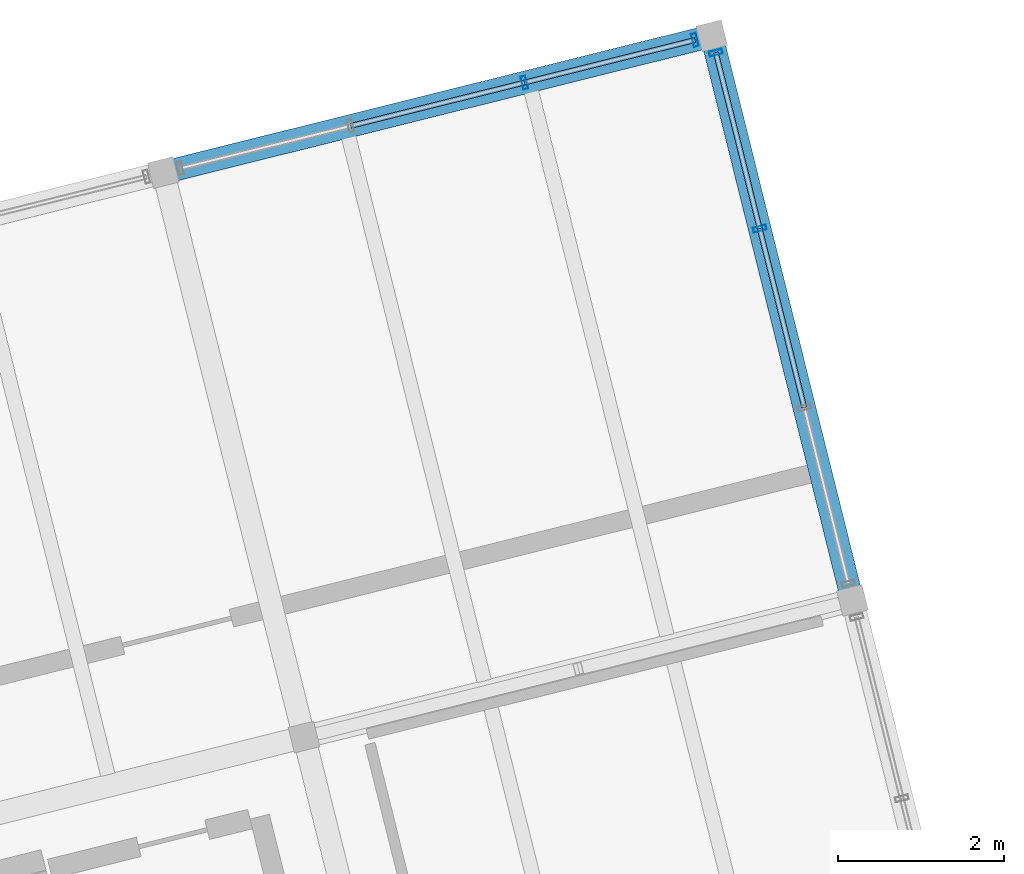
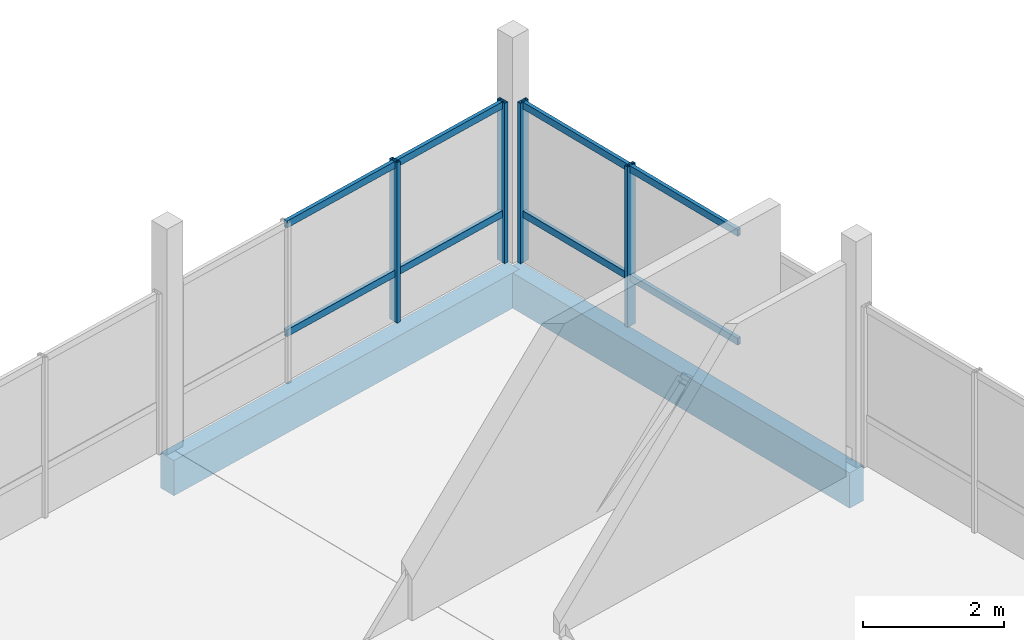
# One storey, part 20 of 25: 12 members, 2 beams, 2 elements without a shape of their own.
"""IFC4 building model written with IfcOpenShell, lengths in metres."""

from ifc_helpers import new_model, si_unit, direction, frame, origin, origin_2d, place, context, subcontext, project, spatial, rectangle, hollow_rectangle, extrude, material, layer, layer_set, material_profile, profile_set, type_object, element, aggregate, save


model = new_model("IFC4")

# Units and contexts
model_context = context("Model", 3, precision=1e-05, world=origin(), true_north=direction((0.0, 1.0)))
body_context = subcontext(model_context, "Body", "Model", "MODEL_VIEW")
ifc_project = project(units=[si_unit("LENGTHUNIT", "METRE"), si_unit("AREAUNIT", "SQUARE_METRE"), si_unit("VOLUMEUNIT", "CUBIC_METRE"), si_unit("PLANEANGLEUNIT", "RADIAN"), si_unit("MASSUNIT", "GRAM", prefix="KILO")], contexts=[model_context])

# Site, building, storey
site_placement = place(None, origin())
site = spatial("IfcSite", under=ifc_project, at=site_placement, CompositionType="ELEMENT")
building_placement = place(site_placement, origin())
building = spatial("IfcBuilding", under=site, at=building_placement, Name="Meriwether Solvik Hall", CompositionType="ELEMENT")
storey_placement = place(building_placement, frame((0.0, 0.0, 53.39990234375)))
storey = spatial("IfcBuildingStorey", under=building, at=storey_placement, Name="L13", CompositionType="ELEMENT", Elevation=53.39990234375)

# Beams
ifc_material_1 = material(Name="Glulam Douglas-Fir 24F-V8 GL28h", Category="wood")
ifc_material_profile_1 = material_profile(ifc_material_1, rectangle(XDim=0.27294921875, YDim=0.610107421875, at=origin_2d()), Name="GLB-273X610")
ifc_profile_set_1 = profile_set([ifc_material_profile_1], Name="Glulam Douglas-Fir 24F-V8 GL28h")
beam_type = type_object("IfcBeamType", Name="BM-GL-273X610", PredefinedType="SPANDREL", material=ifc_profile_set_1)
beam_1_placement = place(storey_placement, frame((90.158935546875, 75.432373046875, -0.48486328125), z_axis=(0.970296478685, 0.241918877831, 0.0), x_axis=(-0.241918877831, 0.970296478685, 0.0)))
element("IfcBeam", 1, at=beam_1_placement, inside=storey, type_object=beam_type, Name="Tower Girder TE:T5-T6 (L13)", PredefinedType="SPANDREL", context=body_context, shape_type="SweptSolid", body=[
    extrude(rectangle(XDim=0.27294921875, YDim=0.610107421875, at=origin_2d()), origin(), (0.0, 0.0, 1.0), 6.7998046875),
])
beam_2_placement = place(storey_placement, frame((98.4501953125, 70.285400390625, -0.48486328125), z_axis=(-0.241911879182, 0.970298223594, 0.0), x_axis=(-0.970298223594, -0.241911879182, 0.0)))
element("IfcBeam", 2, at=beam_2_placement, inside=storey, type_object=beam_type, Name="Tower Girder T6:TD-TE (L13)", PredefinedType="SPANDREL", context=body_context, shape_type="SweptSolid", body=[
    extrude(rectangle(XDim=0.27294921875, YDim=0.610107421875, at=origin_2d()), origin(), (0.0, 0.0, 1.0), 7.0),
])

# Curtain wall, members
ifc_material_2 = material(Name="Thermally Broken Anodised Aluminium 6063-T6 and Low-E Glass", Category="aluminium")
ifc_layer_1 = layer(ifc_material_2, 0.179931640625)
ifc_layer_set_1 = layer_set([ifc_layer_1], Name="Thermally Broken Anodised Aluminium 6063-T6 and Low-E Glass")
curtain_wall_type_1 = type_object("IfcCurtainWallType", Name="CW-UNIT-A", PredefinedType="USERDEFINED", material=ifc_layer_set_1)
curtain_wall_1_placement = place(storey_placement, origin())
curtain_wall_1 = element("IfcCurtainWall", 3, at=curtain_wall_1_placement, inside=storey, type_object=curtain_wall_type_1, Name="Curtain Wall E1_B3 (L13)", ObjectType="UNITISED CURTAIN WALL", PredefinedType="USERDEFINED")
ifc_material_3 = material(Name="Anodised Aluminium 6063-T6", Category="aluminium")
ifc_material_profile_2 = material_profile(ifc_material_3, hollow_rectangle(XDim=0.06005859375, YDim=0.159912109375, WallThickness=0.00390625, at=origin_2d()), Name="CWM-60X160")
ifc_profile_set_2 = profile_set([ifc_material_profile_2], Name="Anodised Aluminium 6063-T6")
member_type_1 = type_object("IfcMemberType", Name="CW-MUL-60X160", PredefinedType="MULLION", material=ifc_profile_set_2)
member_1_placement = place(storey_placement, frame((96.80712890625, 76.876220703125, 0.0), z_axis=(0.0, 0.0, 1.0), x_axis=(0.241921960765, -0.970295710028, 0.0)))
member_1 = element("IfcMember", 4, at=member_1_placement, type_object=member_type_1, Name="Curtain Wall Mullion 1", PredefinedType="MULLION", context=body_context, shape_type="SweptSolid", body=[
    extrude(hollow_rectangle(XDim=0.06005859375, YDim=0.159912109375, WallThickness=0.00390625, at=origin_2d()), origin(), (0.0, 0.0, 1.0), 2.77001953125),
])
member_2_placement = place(storey_placement, frame((97.3349609375, 74.758544921875, 0.0), z_axis=(0.0, 0.0, 1.0), x_axis=(0.241921960765, -0.970295710028, 0.0)))
member_2 = element("IfcMember", 5, at=member_2_placement, type_object=member_type_1, Name="Curtain Wall Mullion 2", PredefinedType="MULLION", context=body_context, shape_type="SweptSolid", body=[
    extrude(hollow_rectangle(XDim=0.06005859375, YDim=0.159912109375, WallThickness=0.00390625, at=origin_2d()), origin(), (0.0, 0.0, 1.0), 2.77001953125),
])

ifc_material_4 = material(Name="Thermally Broken Anodised Aluminium 6063-T6 and Low-E Glass", Category="aluminium")
ifc_layer_2 = layer(ifc_material_4, 0.179931640625)
ifc_layer_set_2 = layer_set([ifc_layer_2], Name="Thermally Broken Anodised Aluminium 6063-T6 and Low-E Glass")
curtain_wall_type_2 = type_object("IfcCurtainWallType", Name="CW-UNIT-C", PredefinedType="USERDEFINED", material=ifc_layer_set_2)
curtain_wall_2_placement = place(storey_placement, origin())
curtain_wall_2 = element("IfcCurtainWall", 6, at=curtain_wall_2_placement, inside=storey, type_object=curtain_wall_type_2, Name="Curtain Wall E2_B4 (L13)", ObjectType="UNITISED CURTAIN WALL", PredefinedType="USERDEFINED")
member_3_placement = place(storey_placement, frame((94.502685546875, 76.515380859375, 0.0), z_axis=(0.0, 0.0, 1.0), x_axis=(0.970295706127, 0.241921976413, 0.0)))
member_3 = element("IfcMember", 7, at=member_3_placement, type_object=member_type_1, Name="Curtain Wall Mullion 3", PredefinedType="MULLION", context=body_context, shape_type="SweptSolid", body=[
    extrude(hollow_rectangle(XDim=0.06005859375, YDim=0.159912109375, WallThickness=0.00390625, at=origin_2d()), origin(), (0.0, 0.0, 1.0), 2.77001953125),
])
member_4_placement = place(storey_placement, frame((96.555419921875, 77.02734375, 0.0), z_axis=(0.0, 0.0, 1.0), x_axis=(0.970295706127, 0.241921976413, 0.0)))
member_4 = element("IfcMember", 8, at=member_4_placement, type_object=member_type_1, Name="Curtain Wall Mullion 4", PredefinedType="MULLION", context=body_context, shape_type="SweptSolid", body=[
    extrude(hollow_rectangle(XDim=0.06005859375, YDim=0.159912109375, WallThickness=0.00390625, at=origin_2d()), origin(), (0.0, 0.0, 1.0), 2.77001953125),
])

# Member
ifc_material_5 = material(Name="Anodised Aluminium 6063-T6", Category="aluminium")
ifc_material_profile_3 = material_profile(ifc_material_5, hollow_rectangle(XDim=0.06005859375, YDim=0.1201171875, WallThickness=0.00390625, at=origin_2d()), Name="CWT-60X120")
ifc_profile_set_3 = profile_set([ifc_material_profile_3], Name="Anodised Aluminium 6063-T6")
member_type_2 = type_object("IfcMemberType", Name="CW-TRN-60X120", PredefinedType="USERDEFINED", material=ifc_profile_set_3)
member_5_placement = place(storey_placement, frame((96.80712890625, 76.876220703125, 0.8310546875), z_axis=(0.241851216689, -0.970313345773, 0.0), x_axis=(0.970313345773, 0.241851216689, 0.0)))
member_5 = element("IfcMember", 9, at=member_5_placement, type_object=member_type_2, Name="Curtain Wall Transom 1-sill", ObjectType="TRANSOM", PredefinedType="USERDEFINED", context=body_context, shape_type="SweptSolid", body=[
    extrude(hollow_rectangle(XDim=0.06005859375, YDim=0.1201171875, WallThickness=0.00390625, at=origin_2d()), origin(), (0.0, 0.0, 1.0), 2.182373046875),
])

member_6_placement = place(storey_placement, frame((96.80712890625, 76.876220703125, 2.710205078125), z_axis=(0.241851216689, -0.970313345773, 0.0), x_axis=(0.970313345773, 0.241851216689, 0.0)))
member_6 = element("IfcMember", 10, at=member_6_placement, type_object=member_type_2, Name="Curtain Wall Transom 1-head", ObjectType="TRANSOM", PredefinedType="USERDEFINED", context=body_context, shape_type="SweptSolid", body=[
    extrude(hollow_rectangle(XDim=0.06005859375, YDim=0.1201171875, WallThickness=0.00390625, at=origin_2d()), origin(), (0.0, 0.0, 1.0), 2.182373046875),
])

member_7_placement = place(storey_placement, frame((97.3349609375, 74.758544921875, 0.8310546875), z_axis=(0.241914618046, -0.970297540745, 0.0), x_axis=(0.970297540745, 0.241914618046, 0.0)))
member_7 = element("IfcMember", 11, at=member_7_placement, type_object=member_type_2, Name="Curtain Wall Transom 2-sill", ObjectType="TRANSOM", PredefinedType="USERDEFINED", context=body_context, shape_type="SweptSolid", body=[
    extrude(hollow_rectangle(XDim=0.06005859375, YDim=0.1201171875, WallThickness=0.00390625, at=origin_2d()), origin(), (0.0, 0.0, 1.0), 2.22021484375),
])

member_8_placement = place(storey_placement, frame((97.3349609375, 74.758544921875, 2.710205078125), z_axis=(0.241914618046, -0.970297540745, 0.0), x_axis=(0.970297540745, 0.241914618046, 0.0)))
member_8 = element("IfcMember", 12, at=member_8_placement, type_object=member_type_2, Name="Curtain Wall Transom 2-head", ObjectType="TRANSOM", PredefinedType="USERDEFINED", context=body_context, shape_type="SweptSolid", body=[
    extrude(hollow_rectangle(XDim=0.06005859375, YDim=0.1201171875, WallThickness=0.00390625, at=origin_2d()), origin(), (0.0, 0.0, 1.0), 2.22021484375),
])

aggregate(curtain_wall_1, [member_1, member_2, member_5, member_6, member_7, member_8])

member_9_placement = place(storey_placement, frame((92.4130859375, 75.994384765625, 0.8310546875), z_axis=(0.970295683069, 0.241922068895, 0.0), x_axis=(-0.241922068895, 0.970295683069, 0.0)))
member_9 = element("IfcMember", 13, at=member_9_placement, type_object=member_type_2, Name="Curtain Wall Transom 2-sill", ObjectType="TRANSOM", PredefinedType="USERDEFINED", context=body_context, shape_type="SweptSolid", body=[
    extrude(hollow_rectangle(XDim=0.06005859375, YDim=0.1201171875, WallThickness=0.00390625, at=origin_2d()), origin(), (0.0, 0.0, 1.0), 2.153564453125),
])

member_10_placement = place(storey_placement, frame((92.4130859375, 75.994384765625, 2.710205078125), z_axis=(0.970295683069, 0.241922068895, 0.0), x_axis=(-0.241922068895, 0.970295683069, 0.0)))
member_10 = element("IfcMember", 14, at=member_10_placement, type_object=member_type_2, Name="Curtain Wall Transom 2-head", ObjectType="TRANSOM", PredefinedType="USERDEFINED", context=body_context, shape_type="SweptSolid", body=[
    extrude(hollow_rectangle(XDim=0.06005859375, YDim=0.1201171875, WallThickness=0.00390625, at=origin_2d()), origin(), (0.0, 0.0, 1.0), 2.153564453125),
])

member_11_placement = place(storey_placement, frame((94.502685546875, 76.515380859375, 0.8310546875), z_axis=(0.970278112146, 0.241992531062, 0.0), x_axis=(-0.241992531062, 0.970278112146, 0.0)))
member_11 = element("IfcMember", 15, at=member_11_placement, type_object=member_type_2, Name="Curtain Wall Transom 3-sill", ObjectType="TRANSOM", PredefinedType="USERDEFINED", context=body_context, shape_type="SweptSolid", body=[
    extrude(hollow_rectangle(XDim=0.06005859375, YDim=0.1201171875, WallThickness=0.00390625, at=origin_2d()), origin(), (0.0, 0.0, 1.0), 2.11572265625),
])

member_12_placement = place(storey_placement, frame((94.502685546875, 76.515380859375, 2.710205078125), z_axis=(0.970278112146, 0.241992531062, 0.0), x_axis=(-0.241992531062, 0.970278112146, 0.0)))
member_12 = element("IfcMember", 16, at=member_12_placement, type_object=member_type_2, Name="Curtain Wall Transom 3-head", ObjectType="TRANSOM", PredefinedType="USERDEFINED", context=body_context, shape_type="SweptSolid", body=[
    extrude(hollow_rectangle(XDim=0.06005859375, YDim=0.1201171875, WallThickness=0.00390625, at=origin_2d()), origin(), (0.0, 0.0, 1.0), 2.11572265625),
])

aggregate(curtain_wall_2, [member_3, member_4, member_9, member_10, member_11, member_12])

save(model, "model.ifc")
